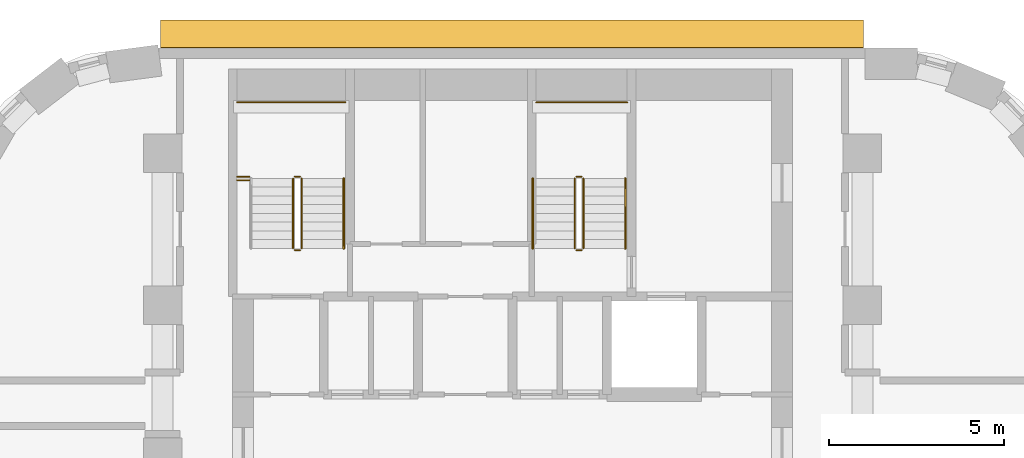
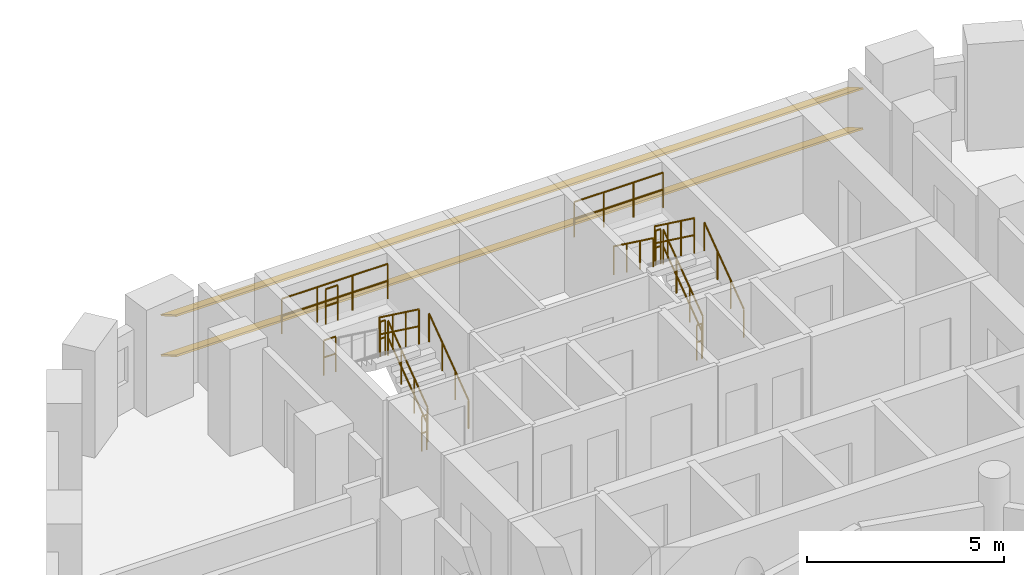
# One storey, part 12 of 12: 15 railings, 2 shading devices.
"""IFC4 building model written with IfcOpenShell, lengths in metres."""

from ifc_helpers import new_model, si_unit, direction, frame, origin, origin_2d, place, context, subcontext, project, spatial, rectangle, circle, extrude, material, material_profile, profile_set, type_object, element, save


model = new_model("IFC4")

# Units and contexts
model_context = context("Model", 3, precision=1e-05, world=origin(), true_north=direction((0.0, 1.0)))
body_context = subcontext(model_context, "Body", "Model", "MODEL_VIEW")
ifc_project = project(units=[si_unit("LENGTHUNIT", "METRE"), si_unit("AREAUNIT", "SQUARE_METRE"), si_unit("VOLUMEUNIT", "CUBIC_METRE"), si_unit("PLANEANGLEUNIT", "RADIAN"), si_unit("MASSUNIT", "GRAM", prefix="KILO")], contexts=[model_context])

# Site, building, storey
site_placement = place(None, origin())
site = spatial("IfcSite", under=ifc_project, at=site_placement, CompositionType="ELEMENT")
building_placement = place(site_placement, origin())
building = spatial("IfcBuilding", under=site, at=building_placement, Name="Nakaniwa Court", CompositionType="ELEMENT")
storey_placement = place(building_placement, frame((0.0, 0.0, 51.300048828125)))
storey = spatial("IfcBuildingStorey", under=building, at=storey_placement, Name="L13", CompositionType="ELEMENT", Elevation=51.300048828125)

# Shading devices
ifc_material_1 = material(Name="Perforated charcoal ceramic louvre blade")
ifc_material_profile = material_profile(ifc_material_1, rectangle(XDim=0.89990234375, YDim=0.050048828125, at=origin_2d()), Name="Perforated ceramic louvre blade")
ifc_profile_set = profile_set([ifc_material_profile], Name="Perforated charcoal ceramic louvre blade")
shading_device_type = type_object("IfcShadingDeviceType", Name="Perforated ceramic louvre blade", PredefinedType="JALOUSIE", material=ifc_profile_set)
for number, where, z_axis, x_axis, name in (
    (1, (90.02880859375, 104.402099609375, 0.550048828125), (-1.0, 0.0, 0.0), (0.0, -0.866025403784, 0.5), "L13 perforated ceramic louvre blade w08 1"),
    (2, (90.02880859375, 104.402099609375, 1.793212890625), (-1.0, 0.0, 0.0), (0.0, -0.866025403784, 0.5), "L13 perforated ceramic louvre blade w08 2"),
):
    element("IfcShadingDevice", number, at=place(storey_placement, frame(where, z_axis=z_axis, x_axis=x_axis)), inside=storey, type_object=shading_device_type, Name=name, PredefinedType="JALOUSIE", context=body_context, shape_type="SweptSolid", body=[
        extrude(rectangle(XDim=0.89990234375, YDim=0.050048828125, at=origin_2d()), origin(), (0.0, 0.0, 1.0), 20.090576171875),
    ])

# Railings
ifc_material_2 = material(Name="Black powder coated steel guard", Category="steel")
railing_type_1 = type_object("IfcRailingType", Name="Stair guard 1100", PredefinedType="GUARDRAIL", material=ifc_material_2)
railing_1_placement = place(storey_placement, frame((73.97509765625, 98.27490234375, 0.183349609375)))
element("IfcRailing", 3, at=railing_1_placement, inside=storey, type_object=railing_type_1, Name="L13 ST1 stair guard 1", PredefinedType="GUARDRAIL", context=body_context, shape_type="SweptSolid", body=[
    extrude(circle(Radius=0.02392578125, at=origin_2d()), frame((0.0, 0.0, 1.076171875), z_axis=(0.0, 0.806426902644, 0.591333789573), x_axis=(-1.0, 0.0, 0.0)), (0.0, 0.0, 1.0), 2.47998046875),
    extrude(circle(Radius=0.02392578125, at=origin_2d()), frame((0.0, 0.0, 0.550048828125), z_axis=(0.0, 0.806426902644, 0.591333789573), x_axis=(-1.0, 0.0, 0.0)), (0.0, 0.0, 1.0), 2.47998046875),
    extrude(circle(Radius=0.02099609375, at=origin_2d()), origin(), (0.0, 0.0, 1.0), 1.052001953125),
    extrude(circle(Radius=0.02099609375, at=origin_2d()), frame((0.0, 0.666748046875, 0.48876953125)), (0.0, 0.0, 1.0), 1.052001953125),
    extrude(circle(Radius=0.02099609375, at=origin_2d()), frame((0.0, 1.333251953125, 0.977783203125)), (0.0, 0.0, 1.0), 1.052001953125),
    extrude(circle(Radius=0.02099609375, at=origin_2d()), frame((0.0, 2.0, 1.466552734375)), (0.0, 0.0, 1.0), 1.052001953125),
])
railing_2_placement = place(storey_placement, frame((73.925048828125, 100.324951171875, 1.64990234375)))
element("IfcRailing", 4, at=railing_2_placement, inside=storey, type_object=railing_type_1, Name="L13 ST1 stair guard 2", PredefinedType="GUARDRAIL", context=body_context, shape_type="SweptSolid", body=[
    extrude(circle(Radius=0.02392578125, at=origin_2d()), frame((0.0, 0.0, 1.076171875), z_axis=(-1.0, 0.0, 0.0), x_axis=(0.0, -1.0, 0.0)), (0.0, 0.0, 1.0), 0.150146484375),
    extrude(circle(Radius=0.02392578125, at=origin_2d()), frame((0.0, 0.0, 0.550048828125), z_axis=(-1.0, 0.0, 0.0), x_axis=(0.0, -1.0, 0.0)), (0.0, 0.0, 1.0), 0.150146484375),
    extrude(circle(Radius=0.02099609375, at=origin_2d()), origin(), (0.0, 0.0, 1.0), 1.052001953125),
    extrude(circle(Radius=0.02099609375, at=origin_2d()), frame((-0.150146484375, 0.0, 0.0)), (0.0, 0.0, 1.0), 1.052001953125),
])
railing_3_placement = place(storey_placement, frame((73.72509765625, 100.27490234375, 1.833251953125)))
element("IfcRailing", 5, at=railing_3_placement, inside=storey, type_object=railing_type_1, Name="L13 ST1 stair guard 3", PredefinedType="GUARDRAIL", context=body_context, shape_type="SweptSolid", body=[
    extrude(circle(Radius=0.02392578125, at=origin_2d()), frame((0.0, 0.0, 1.076171875), z_axis=(0.0, -0.806379959628, 0.591397802423), x_axis=(1.0, 0.0, 0.0)), (0.0, 0.0, 1.0), 2.480224609375),
    extrude(circle(Radius=0.02392578125, at=origin_2d()), frame((0.0, 0.0, 0.550048828125), z_axis=(0.0, -0.806379959628, 0.591397802423), x_axis=(1.0, 0.0, 0.0)), (0.0, 0.0, 1.0), 2.480224609375),
    extrude(circle(Radius=0.02099609375, at=origin_2d()), origin(), (0.0, 0.0, 1.0), 1.052001953125),
    extrude(circle(Radius=0.02099609375, at=origin_2d()), frame((0.0, -0.666748046875, 0.489013671875)), (0.0, 0.0, 1.0), 1.052001953125),
    extrude(circle(Radius=0.02099609375, at=origin_2d()), frame((0.0, -1.333251953125, 0.977783203125)), (0.0, 0.0, 1.0), 1.052001953125),
    extrude(circle(Radius=0.02099609375, at=origin_2d()), frame((0.0, -2.0, 1.466796875)), (0.0, 0.0, 1.0), 1.052001953125),
])
railing_4_placement = place(storey_placement, frame((73.925048828125, 98.22509765625, 0.0)))
element("IfcRailing", 6, at=railing_4_placement, inside=storey, type_object=railing_type_1, Name="L13 ST1 stair guard 4", PredefinedType="GUARDRAIL", context=body_context, shape_type="SweptSolid", body=[
    extrude(circle(Radius=0.02392578125, at=origin_2d()), frame((0.0, 0.0, 1.076171875), z_axis=(-1.0, 0.0, 0.0), x_axis=(0.0, -1.0, 0.0)), (0.0, 0.0, 1.0), 0.150146484375),
    extrude(circle(Radius=0.02392578125, at=origin_2d()), frame((0.0, 0.0, 0.550048828125), z_axis=(-1.0, 0.0, 0.0), x_axis=(0.0, -1.0, 0.0)), (0.0, 0.0, 1.0), 0.150146484375),
    extrude(circle(Radius=0.02099609375, at=origin_2d()), origin(), (0.0, 0.0, 1.0), 1.052001953125),
    extrude(circle(Radius=0.02099609375, at=origin_2d()), frame((-0.150146484375, 0.0, 0.0)), (0.0, 0.0, 1.0), 1.052001953125),
])
railing_5_placement = place(storey_placement, frame((72.125, 102.449951171875, 1.64990234375)))
element("IfcRailing", 7, at=railing_5_placement, inside=storey, type_object=railing_type_1, Name="L13 ST1 landing end guard 1", PredefinedType="GUARDRAIL", context=body_context, shape_type="SweptSolid", body=[
    extrude(circle(Radius=0.02392578125, at=origin_2d()), frame((0.0, 0.0, 1.076171875), z_axis=(1.0, 0.0, 0.0), x_axis=(0.0, 1.0, 0.0)), (0.0, 0.0, 1.0), 3.10009765625),
    extrude(circle(Radius=0.02392578125, at=origin_2d()), frame((0.0, 0.0, 0.550048828125), z_axis=(1.0, 0.0, 0.0), x_axis=(0.0, 1.0, 0.0)), (0.0, 0.0, 1.0), 3.10009765625),
    extrude(circle(Radius=0.02099609375, at=origin_2d()), origin(), (0.0, 0.0, 1.0), 1.052001953125),
    extrude(circle(Radius=0.02099609375, at=origin_2d()), frame((1.033447265625, 0.0, 0.0)), (0.0, 0.0, 1.0), 1.052001953125),
    extrude(circle(Radius=0.02099609375, at=origin_2d()), frame((2.066650390625, 0.0, 0.0)), (0.0, 0.0, 1.0), 1.052001953125),
    extrude(circle(Radius=0.02099609375, at=origin_2d()), frame((3.10009765625, 0.0, 0.0)), (0.0, 0.0, 1.0), 1.052001953125),
])
for number, where, name in (
    (8, (72.125, 100.324951171875, 1.64990234375), "L13 ST1 landing side guard 1W"),
    (9, (72.125, 100.22509765625, 3.300048828125), "L13 ST1 floor edge guard 1W"),
):
    element("IfcRailing", number, at=place(storey_placement, frame(where)), inside=storey, type_object=railing_type_1, Name=name, PredefinedType="GUARDRAIL", context=body_context, shape_type="SweptSolid", body=[
        extrude(circle(Radius=0.02392578125, at=origin_2d()), frame((0.0, 0.0, 1.076171875), z_axis=(1.0, 0.0, 0.0), x_axis=(0.0, 1.0, 0.0)), (0.0, 0.0, 1.0), 0.35009765625),
        extrude(circle(Radius=0.02392578125, at=origin_2d()), frame((0.0, 0.0, 0.550048828125), z_axis=(1.0, 0.0, 0.0), x_axis=(0.0, 1.0, 0.0)), (0.0, 0.0, 1.0), 0.35009765625),
        extrude(circle(Radius=0.02099609375, at=origin_2d()), origin(), (0.0, 0.0, 1.0), 1.052001953125),
        extrude(circle(Radius=0.02099609375, at=origin_2d()), frame((0.35009765625, 0.0, 0.0)), (0.0, 0.0, 1.0), 1.052001953125),
    ])
railing_6_placement = place(storey_placement, frame((82.02490234375, 98.27490234375, 0.183349609375)))
element("IfcRailing", 10, at=railing_6_placement, inside=storey, type_object=railing_type_1, Name="L13 ST2 stair guard 1", PredefinedType="GUARDRAIL", context=body_context, shape_type="SweptSolid", body=[
    extrude(circle(Radius=0.02392578125, at=origin_2d()), frame((0.0, 0.0, 1.076171875), z_axis=(0.0, 0.806426902644, 0.591333789573), x_axis=(-1.0, 0.0, 0.0)), (0.0, 0.0, 1.0), 2.47998046875),
    extrude(circle(Radius=0.02392578125, at=origin_2d()), frame((0.0, 0.0, 0.550048828125), z_axis=(0.0, 0.806426902644, 0.591333789573), x_axis=(-1.0, 0.0, 0.0)), (0.0, 0.0, 1.0), 2.47998046875),
    extrude(circle(Radius=0.02099609375, at=origin_2d()), origin(), (0.0, 0.0, 1.0), 1.052001953125),
    extrude(circle(Radius=0.02099609375, at=origin_2d()), frame((0.0, 0.666748046875, 0.48876953125)), (0.0, 0.0, 1.0), 1.052001953125),
    extrude(circle(Radius=0.02099609375, at=origin_2d()), frame((0.0, 1.333251953125, 0.977783203125)), (0.0, 0.0, 1.0), 1.052001953125),
    extrude(circle(Radius=0.02099609375, at=origin_2d()), frame((0.0, 2.0, 1.466552734375)), (0.0, 0.0, 1.0), 1.052001953125),
])
railing_7_placement = place(storey_placement, frame((81.97509765625, 100.324951171875, 1.64990234375)))
element("IfcRailing", 11, at=railing_7_placement, inside=storey, type_object=railing_type_1, Name="L13 ST2 stair guard 2", PredefinedType="GUARDRAIL", context=body_context, shape_type="SweptSolid", body=[
    extrude(circle(Radius=0.02392578125, at=origin_2d()), frame((0.0, 0.0, 1.076171875), z_axis=(-1.0, 0.0, 0.0), x_axis=(0.0, -1.0, 0.0)), (0.0, 0.0, 1.0), 0.150146484375),
    extrude(circle(Radius=0.02392578125, at=origin_2d()), frame((0.0, 0.0, 0.550048828125), z_axis=(-1.0, 0.0, 0.0), x_axis=(0.0, -1.0, 0.0)), (0.0, 0.0, 1.0), 0.150146484375),
    extrude(circle(Radius=0.02099609375, at=origin_2d()), origin(), (0.0, 0.0, 1.0), 1.052001953125),
    extrude(circle(Radius=0.02099609375, at=origin_2d()), frame((-0.150146484375, 0.0, 0.0)), (0.0, 0.0, 1.0), 1.052001953125),
])
railing_8_placement = place(storey_placement, frame((81.77490234375, 100.27490234375, 1.833251953125)))
element("IfcRailing", 12, at=railing_8_placement, inside=storey, type_object=railing_type_1, Name="L13 ST2 stair guard 3", PredefinedType="GUARDRAIL", context=body_context, shape_type="SweptSolid", body=[
    extrude(circle(Radius=0.02392578125, at=origin_2d()), frame((0.0, 0.0, 1.076171875), z_axis=(0.0, -0.806379959628, 0.591397802423), x_axis=(1.0, 0.0, 0.0)), (0.0, 0.0, 1.0), 2.480224609375),
    extrude(circle(Radius=0.02392578125, at=origin_2d()), frame((0.0, 0.0, 0.550048828125), z_axis=(0.0, -0.806379959628, 0.591397802423), x_axis=(1.0, 0.0, 0.0)), (0.0, 0.0, 1.0), 2.480224609375),
    extrude(circle(Radius=0.02099609375, at=origin_2d()), origin(), (0.0, 0.0, 1.0), 1.052001953125),
    extrude(circle(Radius=0.02099609375, at=origin_2d()), frame((0.0, -0.666748046875, 0.489013671875)), (0.0, 0.0, 1.0), 1.052001953125),
    extrude(circle(Radius=0.02099609375, at=origin_2d()), frame((0.0, -1.333251953125, 0.977783203125)), (0.0, 0.0, 1.0), 1.052001953125),
    extrude(circle(Radius=0.02099609375, at=origin_2d()), frame((0.0, -2.0, 1.466796875)), (0.0, 0.0, 1.0), 1.052001953125),
])
railing_9_placement = place(storey_placement, frame((81.97509765625, 98.22509765625, 0.0)))
element("IfcRailing", 13, at=railing_9_placement, inside=storey, type_object=railing_type_1, Name="L13 ST2 stair guard 4", PredefinedType="GUARDRAIL", context=body_context, shape_type="SweptSolid", body=[
    extrude(circle(Radius=0.02392578125, at=origin_2d()), frame((0.0, 0.0, 1.076171875), z_axis=(-1.0, 0.0, 0.0), x_axis=(0.0, -1.0, 0.0)), (0.0, 0.0, 1.0), 0.150146484375),
    extrude(circle(Radius=0.02392578125, at=origin_2d()), frame((0.0, 0.0, 0.550048828125), z_axis=(-1.0, 0.0, 0.0), x_axis=(0.0, -1.0, 0.0)), (0.0, 0.0, 1.0), 0.150146484375),
    extrude(circle(Radius=0.02099609375, at=origin_2d()), origin(), (0.0, 0.0, 1.0), 1.052001953125),
    extrude(circle(Radius=0.02099609375, at=origin_2d()), frame((-0.150146484375, 0.0, 0.0)), (0.0, 0.0, 1.0), 1.052001953125),
])
railing_10_placement = place(storey_placement, frame((80.675048828125, 102.449951171875, 1.64990234375)))
element("IfcRailing", 14, at=railing_10_placement, inside=storey, type_object=railing_type_1, Name="L13 ST2 landing end guard 1", PredefinedType="GUARDRAIL", context=body_context, shape_type="SweptSolid", body=[
    extrude(circle(Radius=0.02392578125, at=origin_2d()), frame((0.0, 0.0, 1.076171875), z_axis=(1.0, 0.0, 0.0), x_axis=(0.0, 1.0, 0.0)), (0.0, 0.0, 1.0), 2.599853515625),
    extrude(circle(Radius=0.02392578125, at=origin_2d()), frame((0.0, 0.0, 0.550048828125), z_axis=(1.0, 0.0, 0.0), x_axis=(0.0, 1.0, 0.0)), (0.0, 0.0, 1.0), 2.599853515625),
    extrude(circle(Radius=0.02099609375, at=origin_2d()), origin(), (0.0, 0.0, 1.0), 1.052001953125),
    extrude(circle(Radius=0.02099609375, at=origin_2d()), frame((0.86669921875, 0.0, 0.0)), (0.0, 0.0, 1.0), 1.052001953125),
    extrude(circle(Radius=0.02099609375, at=origin_2d()), frame((1.733154296875, 0.0, 0.0)), (0.0, 0.0, 1.0), 1.052001953125),
    extrude(circle(Radius=0.02099609375, at=origin_2d()), frame((2.599853515625, 0.0, 0.0)), (0.0, 0.0, 1.0), 1.052001953125),
])
ifc_material_3 = material(Name="Black powder coated steel handrail", Category="steel")
railing_type_2 = type_object("IfcRailingType", Name="Stair handrail 900", PredefinedType="HANDRAIL", material=ifc_material_3)
for number, where, name in (
    (15, (75.175048828125, 98.27490234375, 0.183349609375), "L13 ST1 stair handrail 1"),
    (16, (83.22509765625, 98.27490234375, 0.183349609375), "L13 ST2 stair handrail 1"),
):
    element("IfcRailing", number, at=place(storey_placement, frame(where)), inside=storey, type_object=railing_type_2, Name=name, PredefinedType="HANDRAIL", context=body_context, shape_type="SweptSolid", body=[
        extrude(circle(Radius=0.02392578125, at=origin_2d()), frame((0.0, 0.0, 0.8759765625), z_axis=(0.0, 0.806426902644, 0.591333789573), x_axis=(-1.0, 0.0, 0.0)), (0.0, 0.0, 1.0), 2.47998046875),
        extrude(circle(Radius=0.02099609375, at=origin_2d()), origin(), (0.0, 0.0, 1.0), 0.851806640625),
        extrude(circle(Radius=0.02099609375, at=origin_2d()), frame((0.0, 0.666748046875, 0.48876953125)), (0.0, 0.0, 1.0), 0.851806640625),
        extrude(circle(Radius=0.02099609375, at=origin_2d()), frame((0.0, 1.333251953125, 0.977783203125)), (0.0, 0.0, 1.0), 0.851806640625),
        extrude(circle(Radius=0.02099609375, at=origin_2d()), frame((0.0, 2.0, 1.466552734375)), (0.0, 0.0, 1.0), 0.851806640625),
    ])
railing_11_placement = place(storey_placement, frame((80.574951171875, 100.27490234375, 1.833251953125)))
element("IfcRailing", 17, at=railing_11_placement, inside=storey, type_object=railing_type_2, Name="L13 ST2 stair handrail 2", PredefinedType="HANDRAIL", context=body_context, shape_type="SweptSolid", body=[
    extrude(circle(Radius=0.02392578125, at=origin_2d()), frame((0.0, 0.0, 0.8759765625), z_axis=(0.0, -0.806379959628, 0.591397802423), x_axis=(1.0, 0.0, 0.0)), (0.0, 0.0, 1.0), 2.480224609375),
    extrude(circle(Radius=0.02099609375, at=origin_2d()), origin(), (0.0, 0.0, 1.0), 0.851806640625),
    extrude(circle(Radius=0.02099609375, at=origin_2d()), frame((0.0, -0.666748046875, 0.489013671875)), (0.0, 0.0, 1.0), 0.851806640625),
    extrude(circle(Radius=0.02099609375, at=origin_2d()), frame((0.0, -1.333251953125, 0.977783203125)), (0.0, 0.0, 1.0), 0.851806640625),
    extrude(circle(Radius=0.02099609375, at=origin_2d()), frame((0.0, -2.0, 1.466796875)), (0.0, 0.0, 1.0), 0.851806640625),
])

save(model, "model.ifc")
